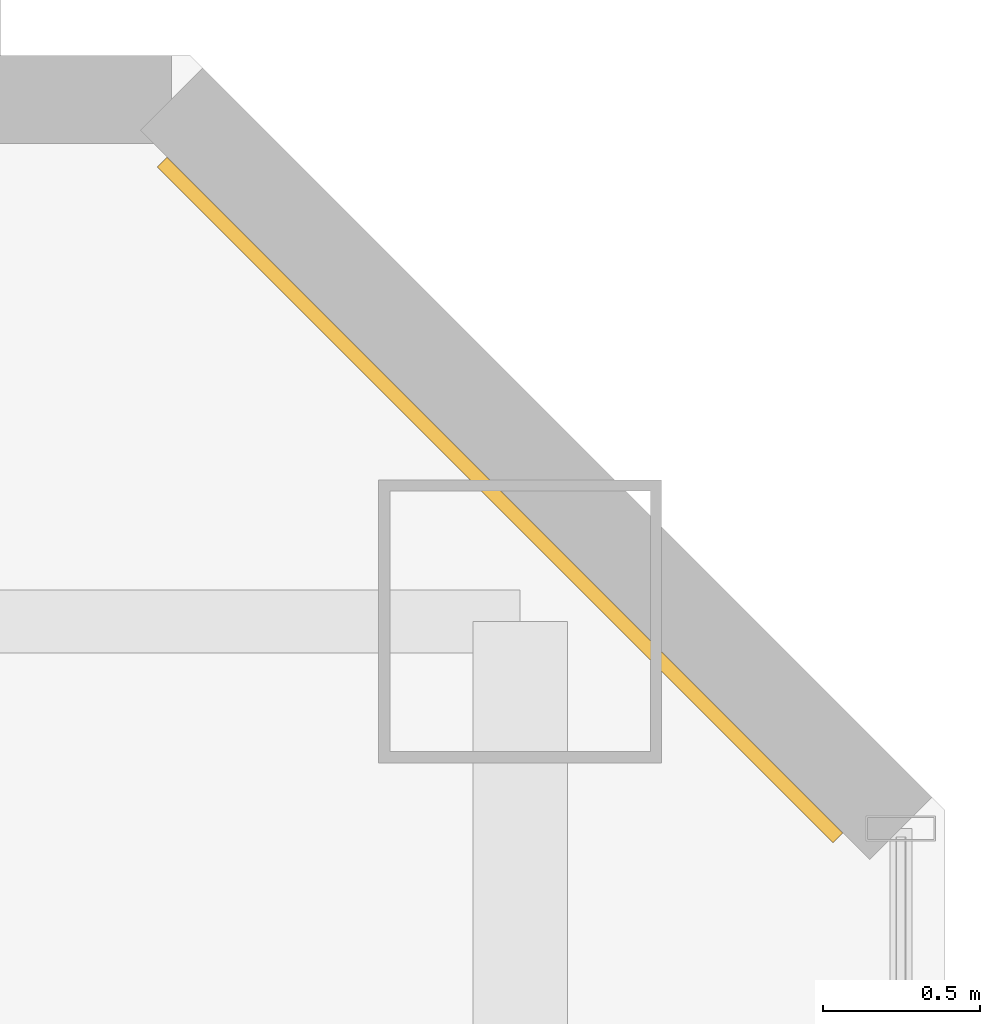
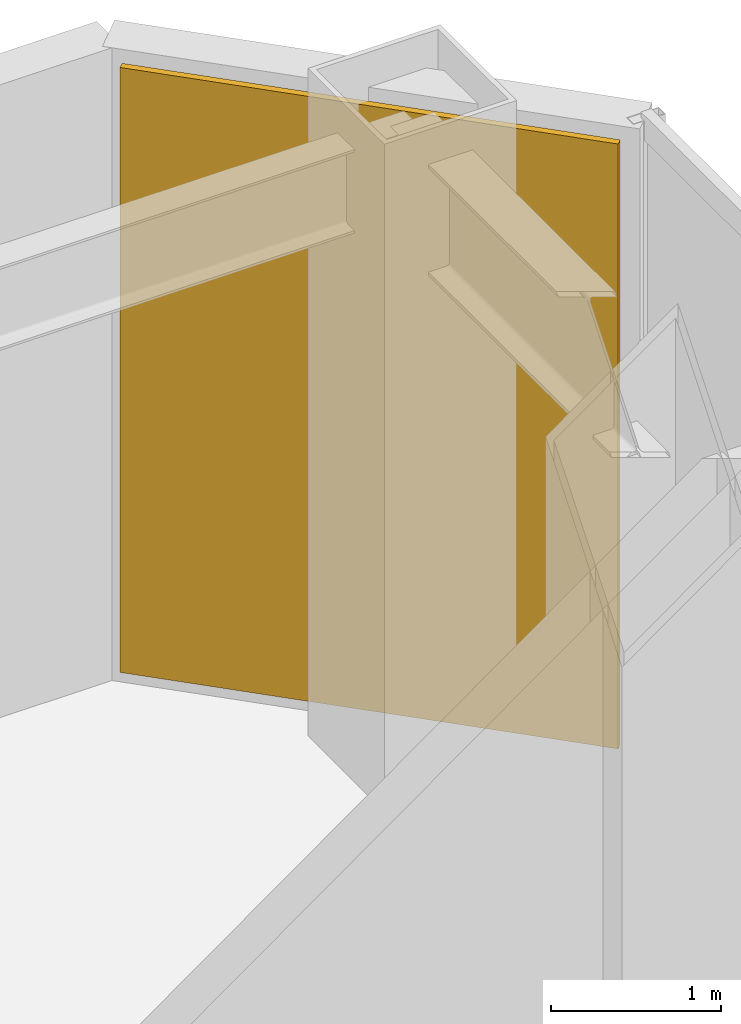
# One storey, part 27 of 27: 1 covering.
"""IFC4 building model written with IfcOpenShell, lengths in metres."""

from ifc_helpers import new_model, si_unit, direction, frame, origin, origin_2d, place, context, subcontext, project, spatial, rectangle, extrude, material, layer, layer_set, type_object, element, save


model = new_model("IFC4")

# Units and contexts
model_context = context("Model", 3, precision=1e-05, world=origin(), true_north=direction((0.0, 1.0)))
body_context = subcontext(model_context, "Body", "Model", "MODEL_VIEW")
ifc_project = project(units=[si_unit("LENGTHUNIT", "METRE"), si_unit("AREAUNIT", "SQUARE_METRE"), si_unit("VOLUMEUNIT", "CUBIC_METRE"), si_unit("PLANEANGLEUNIT", "RADIAN"), si_unit("MASSUNIT", "GRAM", prefix="KILO")], contexts=[model_context])

# Site, building, storey
site_placement = place(None, origin())
site = spatial("IfcSite", under=ifc_project, at=site_placement, CompositionType="ELEMENT")
building_placement = place(site_placement, origin())
building = spatial("IfcBuilding", under=site, at=building_placement, Name="Hatsunagi Terrace Concourse", CompositionType="ELEMENT")
storey_placement = place(building_placement, frame((0.0, 0.0, 96.449951171875)))
storey = spatial("IfcBuildingStorey", under=building, at=storey_placement, Name="L25", CompositionType="ELEMENT", Elevation=96.449951171875)

# Covering
ifc_material = material(Name="Unglazed Warm Terracotta Rainscreen Tile", Category="masonry")
ifc_layer = layer(ifc_material, 0.044921875)
ifc_layer_set = layer_set([ifc_layer], Name="TerracottaRainscreenCladding_45")
covering_type = type_object("IfcCoveringType", Name="TerracottaRainscreenCladding_45", PredefinedType="CLADDING", material=ifc_layer_set)
covering_placement = place(storey_placement, frame((43.5859375, 48.986083984375, 0.10009765625), z_axis=(0.0, 0.0, 1.0), x_axis=(0.707106781187, -0.707106781187, 0.0)))
element("IfcCovering", 1, at=covering_placement, inside=storey, type_object=covering_type, Name="Terracotta Rainscreen Cladding L25-12", PredefinedType="CLADDING", context=body_context, shape_type="SweptSolid", body=[
    extrude(rectangle(XDim=3.0380859375, YDim=0.044921875, at=origin_2d()), origin(), (0.0, 0.0, 1.0), 4.35009765625),
])

save(model, "model.ifc")
